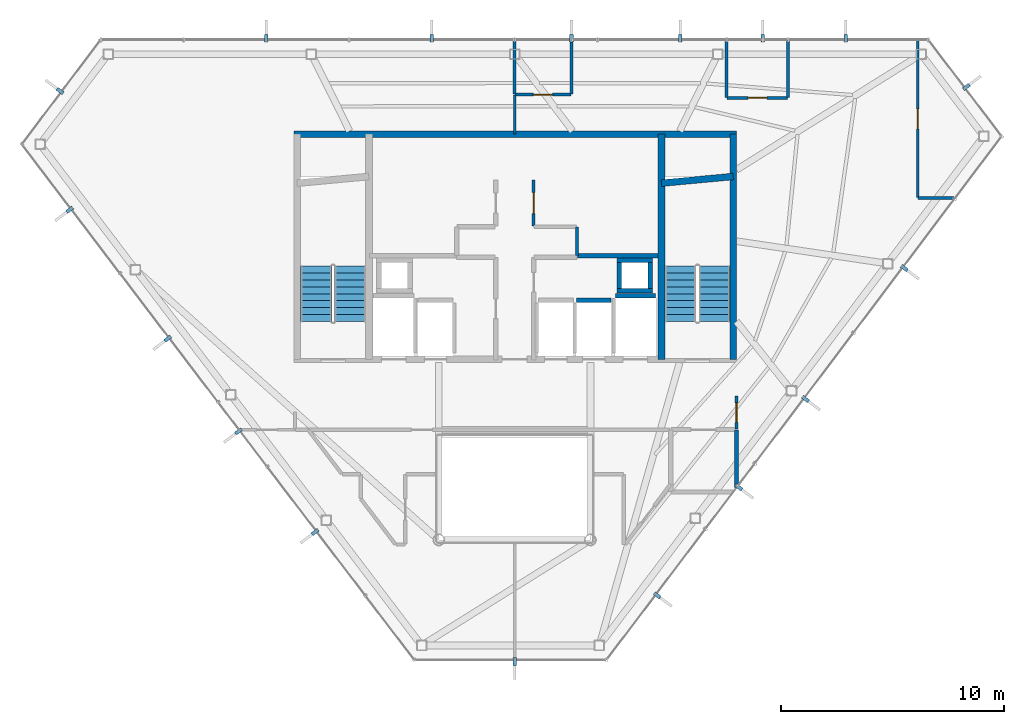
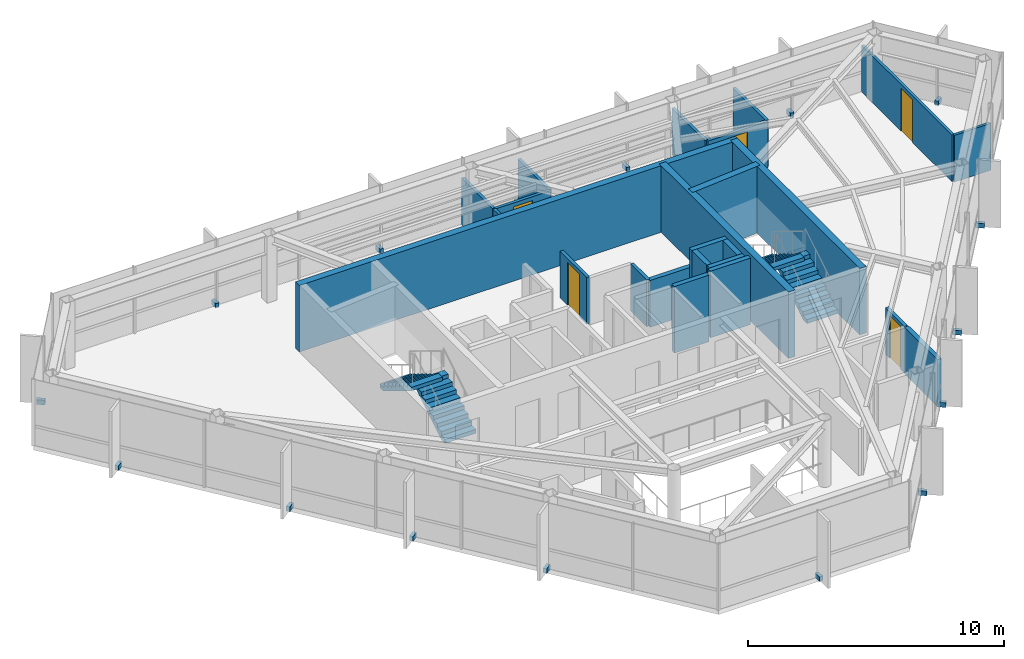
# One storey, part 22 of 23: 24 walls, 17 discrete accessories, 5 doors, 4 stair flights, 5 openings, 2 elements without a shape of their own.
"""IFC4 building model written with IfcOpenShell, lengths in metres."""

from ifc_helpers import new_model, si_unit, direction, frame, frame_2d, origin, origin_2d, place, context, subcontext, project, spatial, polyline, rectangle, outline, extrude, material, layer, layer_set, type_object, element, fill, aggregate, save


model = new_model("IFC4")

# Units and contexts
model_context = context("Model", 3, precision=1e-05, world=origin(), true_north=direction((0.0, 1.0)))
body_context = subcontext(model_context, "Body", "Model", "MODEL_VIEW")
ifc_project = project(units=[si_unit("LENGTHUNIT", "METRE"), si_unit("AREAUNIT", "SQUARE_METRE"), si_unit("VOLUMEUNIT", "CUBIC_METRE"), si_unit("PLANEANGLEUNIT", "RADIAN"), si_unit("MASSUNIT", "GRAM", prefix="KILO")], contexts=[model_context])

# Site, building, storey
site_placement = place(None, origin())
site = spatial("IfcSite", under=ifc_project, at=site_placement, CompositionType="ELEMENT")
building_placement = place(site_placement, origin())
building = spatial("IfcBuilding", under=site, at=building_placement, Name="Zarrinselat Tower", CompositionType="ELEMENT")
storey_placement = place(building_placement, frame((0.0, 0.0, 278.800048828125)))
storey = spatial("IfcBuildingStorey", under=building, at=storey_placement, Name="L71", CompositionType="ELEMENT", Elevation=278.800048828125)

# Wall
ifc_material_1 = material(Name="Concrete C40/50", Category="concrete")
ifc_layer_1 = layer(ifc_material_1, 0.18994140625)
ifc_layer_set_1 = layer_set([ifc_layer_1], Name="Concrete C40/50")
wall_type_1 = type_object("IfcWallType", Name="WAL-PART-EI120", PredefinedType="PARTITIONING", material=ifc_layer_set_1)
wall_1_placement = place(storey_placement, frame((48.35009765625, 27.554443359375, 0.0), z_axis=(0.0, 0.0, 1.0), x_axis=(0.0, 1.0, 0.0)))
element("IfcWall", 1, at=wall_1_placement, inside=storey, type_object=wall_type_1, Name="L71 Partition Wall 20", PredefinedType="PARTITIONING", context=body_context, shape_type="SweptSolid", body=[
    extrude(rectangle(XDim=2.575439453125, YDim=0.18994140625, at=frame_2d((1.28759765625, 0.0))), origin(), (0.0, 0.0, 1.0), 2.23486328125),
])

# Wall, opening, door
ifc_material_2 = material(Name="Fire-Rated Gypsum Board Partition", Category="gypsum")
ifc_layer_2 = layer(ifc_material_2, 0.14990234375)
ifc_layer_set_2 = layer_set([ifc_layer_2], Name="Fire-Rated Gypsum Board Partition")
wall_type_2 = type_object("IfcWallType", Name="WAL-PART-EI60", PredefinedType="PARTITIONING", material=ifc_layer_set_2)
wall_2_placement = place(storey_placement, frame((39.25, 39.27001953125, 0.0), z_axis=(0.0, 0.0, 1.0), x_axis=(0.0, 1.0, 0.0)))
wall_2 = element("IfcWall", 2, at=wall_2_placement, inside=storey, type_object=wall_type_2, Name="L71 Partition Wall 8", PredefinedType="PARTITIONING", context=body_context, shape_type="SweptSolid", body=[
    extrude(rectangle(XDim=2.080078125, YDim=0.14990234375, at=frame_2d((1.0400390625, 0.0))), origin(), (0.0, 0.0, 1.0), 2.23486328125),
])
opening_1_placement = place(wall_2_placement, frame((0.570068359375, 0.0, 0.0)))
opening_1 = element("IfcOpeningElement", 3, at=opening_1_placement, cuts=wall_2, Name="Opening ID-04", PredefinedType="OPENING", context=body_context, shape_type="SweptSolid", body=[
    extrude(rectangle(XDim=0.93994140625, YDim=2.050048828125, at=frame_2d((0.469970703125, 1.02490234375))), frame((0.0, 0.0849609375, 0.0), z_axis=(0.0, -1.0, 0.0), x_axis=(1.0, 0.0, 0.0)), (0.0, 0.0, 1.0), 0.169921875),
])
ifc_material_3 = material(Name="Fire-Rated Gypsum Board Partition")
door_type_1 = type_object("IfcDoorType", Name="DR-INT-FD30-ENT", OperationType="NOTDEFINED", PredefinedType="DOOR", material=ifc_material_3)
door_1_placement = place(opening_1_placement, origin())
door_1 = element("IfcDoor", 4, at=door_1_placement, inside=storey, type_object=door_type_1, Name="L71 Interior Door P8", OperationType="SINGLE_SWING_RIGHT", OverallHeight=2.050048828125, OverallWidth=0.93994140625, PredefinedType="DOOR", context=body_context, shape_type="SweptSolid", body=[
    extrude(rectangle(XDim=0.93994140625, YDim=2.050048828125, at=frame_2d((0.469970703125, 1.02490234375))), frame((0.0, 0.02490234375, 0.0), z_axis=(0.0, -1.0, 0.0), x_axis=(1.0, 0.0, 0.0)), (0.0, 0.0, 1.0), 0.050048828125),
])
fill(opening_1, door_1)

# Wall
wall_3_placement = place(storey_placement, frame((41.199951171875, 37.955078125, 0.0), z_axis=(0.0, 0.0, 1.0), x_axis=(0.0, 1.0, 0.0)))
element("IfcWall", 5, at=wall_3_placement, inside=storey, type_object=wall_type_2, Name="L71 Partition Wall 10", PredefinedType="PARTITIONING", context=body_context, shape_type="SweptSolid", body=[
    extrude(rectangle(XDim=1.27490234375, YDim=0.14990234375, at=frame_2d((0.637451171875, 0.0))), origin(), (0.0, 0.0, 1.0), 2.23486328125),
])

# Wall, opening, door
wall_4_placement = place(storey_placement, frame((48.35009765625, 30.169921875, 0.0), z_axis=(0.0, 0.0, 1.0), x_axis=(0.0, 1.0, 0.0)))
wall_4 = element("IfcWall", 6, at=wall_4_placement, inside=storey, type_object=wall_type_2, Name="L71 Partition Wall 16", PredefinedType="PARTITIONING", context=body_context, shape_type="SweptSolid", body=[
    extrude(rectangle(XDim=1.477783203125, YDim=0.14990234375, at=frame_2d((0.73876953125, 0.0))), origin(), (0.0, 0.0, 1.0), 2.23486328125),
])
opening_2_placement = place(wall_4_placement, frame((0.298828125, 0.0, 0.0)))
opening_2 = element("IfcOpeningElement", 7, at=opening_2_placement, cuts=wall_4, Name="Opening ID-03", PredefinedType="OPENING", context=body_context, shape_type="SweptSolid", body=[
    extrude(rectangle(XDim=0.8798828125, YDim=2.050048828125, at=frame_2d((0.43994140625, 1.02490234375))), frame((0.0, 0.0849609375, 0.0), z_axis=(0.0, -1.0, 0.0), x_axis=(1.0, 0.0, 0.0)), (0.0, 0.0, 1.0), 0.169921875),
])
ifc_material_4 = material(Name="Steel S355J2", Category="steel")
door_type_2 = type_object("IfcDoorType", Name="DR-INT-FD60-S", OperationType="NOTDEFINED", PredefinedType="DOOR", material=ifc_material_4)
door_2_placement = place(opening_2_placement, origin())
door_2 = element("IfcDoor", 8, at=door_2_placement, inside=storey, type_object=door_type_2, Name="L71 Interior Door P16", OperationType="SINGLE_SWING_LEFT", OverallHeight=2.050048828125, OverallWidth=0.8798828125, PredefinedType="DOOR", context=body_context, shape_type="SweptSolid", body=[
    extrude(rectangle(XDim=0.8798828125, YDim=2.050048828125, at=frame_2d((0.43994140625, 1.02490234375))), frame((0.0, 0.02490234375, 0.0), z_axis=(0.0, -1.0, 0.0), x_axis=(1.0, 0.0, 0.0)), (0.0, 0.0, 1.0), 0.050048828125),
])
fill(opening_2, door_2)

# Wall
ifc_material_5 = material(Name="Concrete C40/50", Category="concrete")
ifc_layer_3 = layer(ifc_material_5, 0.199951171875)
ifc_layer_set_3 = layer_set([ifc_layer_3], Name="Concrete C40/50")
wall_type_3 = type_object("IfcWallType", Name="WAL-PART-PLANT", PredefinedType="PARTITIONING", material=ifc_layer_set_3)
wall_5_placement = place(storey_placement, frame((41.219970703125, 37.949951171875, 0.0), z_axis=(0.0, 0.0, 1.0), x_axis=(1.0, 0.0, 0.0)))
element("IfcWall", 9, at=wall_5_placement, inside=storey, type_object=wall_type_3, Name="L71 Partition Wall 12", PredefinedType="PARTITIONING", context=body_context, shape_type="SweptSolid", body=[
    extrude(rectangle(XDim=3.614990234375, YDim=0.199951171875, at=frame_2d((1.8076171875, 0.0))), origin(), (0.0, 0.0, 1.0), 2.23486328125),
])

# Wall, opening, door
ifc_material_6 = material(Name="Fire-Rated Gypsum Board Partition", Category="gypsum")
ifc_layer_4 = layer(ifc_material_6, 0.1201171875)
ifc_layer_set_4 = layer_set([ifc_layer_4], Name="Fire-Rated Gypsum Board Partition")
wall_type_4 = type_object("IfcWallType", Name="WAL-PART-STD", PredefinedType="PARTITIONING", material=ifc_layer_set_4)
wall_6_placement = place(storey_placement, frame((56.473388671875, 40.55517578125, 0.0), z_axis=(0.0, 0.0, 1.0), x_axis=(0.0, 1.0, 0.0)))
wall_6 = element("IfcWall", 10, at=wall_6_placement, inside=storey, type_object=wall_type_4, Name="L71 Partition Wall 38", PredefinedType="PARTITIONING", context=body_context, shape_type="SweptSolid", body=[
    extrude(rectangle(XDim=7.063232421875, YDim=0.1201171875, at=frame_2d((3.53173828125, 0.0))), origin(), (0.0, 0.0, 1.0), 2.23486328125),
])
opening_3_placement = place(wall_6_placement, frame((3.08154296875, 0.0, 0.0)))
opening_3 = element("IfcOpeningElement", 11, at=opening_3_placement, cuts=wall_6, Name="Opening ID-05", PredefinedType="OPENING", context=body_context, shape_type="SweptSolid", body=[
    extrude(rectangle(XDim=0.89990234375, YDim=2.050048828125, at=frame_2d((0.449951171875, 1.02490234375))), frame((0.0, 0.070068359375, 0.0), z_axis=(0.0, -1.0, 0.0), x_axis=(1.0, 0.0, 0.0)), (0.0, 0.0, 1.0), 0.14013671875),
])
ifc_material_7 = material(Name="Extruded Aluminium Alloy EN AW-6063 T6", Category="aluminium")
door_type_3 = type_object("IfcDoorType", Name="DR-INT-STD-920", OperationType="NOTDEFINED", PredefinedType="DOOR", material=ifc_material_7)
door_3_placement = place(opening_3_placement, origin())
door_3 = element("IfcDoor", 12, at=door_3_placement, inside=storey, type_object=door_type_3, Name="L71 Interior Door P38", OperationType="SINGLE_SWING_LEFT", OverallHeight=2.050048828125, OverallWidth=0.89990234375, PredefinedType="DOOR", context=body_context, shape_type="SweptSolid", body=[
    extrude(rectangle(XDim=0.89990234375, YDim=2.050048828125, at=frame_2d((0.449951171875, 1.02490234375))), frame((0.0, 0.02490234375, 0.0), z_axis=(0.0, -1.0, 0.0), x_axis=(1.0, 0.0, 0.0)), (0.0, 0.0, 1.0), 0.050048828125),
])
fill(opening_3, door_3)

# Walls
wall_7_placement = place(storey_placement, frame((56.493408203125, 40.53515625, 0.0), z_axis=(0.0, 0.0, 1.0), x_axis=(1.0, 0.0, 0.0)))
element("IfcWall", 13, at=wall_7_placement, inside=storey, type_object=wall_type_4, Name="L71 Partition Wall 39", PredefinedType="PARTITIONING", context=body_context, shape_type="SweptSolid", body=[
    extrude(rectangle(XDim=1.650634765625, YDim=0.1201171875, at=frame_2d((0.8251953125, 0.0))), origin(), (0.0, 0.0, 1.0), 2.23486328125),
])
wall_8_placement = place(storey_placement, frame((38.39990234375, 43.4150390625, 0.0), z_axis=(0.0, 0.0, 1.0), x_axis=(0.0, 1.0, 0.0)))
element("IfcWall", 14, at=wall_8_placement, inside=storey, type_object=wall_type_4, Name="L71 Partition Wall 40", PredefinedType="PARTITIONING", context=body_context, shape_type="SweptSolid", body=[
    extrude(rectangle(XDim=1.73828125, YDim=0.1201171875, at=frame_2d((0.869140625, 0.0))), origin(), (0.0, 0.0, 1.0), 2.23486328125),
])
ifc_material_8 = material(Name="Fire-Rated Gypsum Board Partition", Category="gypsum")
ifc_layer_5 = layer(ifc_material_8, 0.135009765625)
ifc_layer_set_5 = layer_set([ifc_layer_5], Name="Fire-Rated Gypsum Board Partition")
wall_type_5 = type_object("IfcWallType", Name="WAL-PART-WET", PredefinedType="PARTITIONING", material=ifc_layer_set_5)
wall_9_placement = place(storey_placement, frame((47.91259765625, 45.043212890625, 0.0), z_axis=(0.0, 0.0, 1.0), x_axis=(0.0, 1.0, 0.0)))
element("IfcWall", 15, at=wall_9_placement, inside=storey, type_object=wall_type_5, Name="L71 Partition Wall 33", PredefinedType="PARTITIONING", context=body_context, shape_type="SweptSolid", body=[
    extrude(rectangle(XDim=2.5751953125, YDim=0.135009765625, at=frame_2d((1.28759765625, 0.0))), origin(), (0.0, 0.0, 1.0), 2.23486328125),
])

# Wall, opening, door
wall_10_placement = place(storey_placement, frame((47.9326171875, 45.023193359375, 0.0), z_axis=(0.0, 0.0, 1.0), x_axis=(1.0, 0.0, 0.0)))
wall_10 = element("IfcWall", 16, at=wall_10_placement, inside=storey, type_object=wall_type_5, Name="L71 Partition Wall 34", PredefinedType="PARTITIONING", context=body_context, shape_type="SweptSolid", body=[
    extrude(rectangle(XDim=2.7099609375, YDim=0.135009765625, at=frame_2d((1.35498046875, 0.0))), origin(), (0.0, 0.0, 1.0), 2.23486328125),
])
opening_4_placement = place(wall_10_placement, frame((0.925048828125, 0.0, 0.0)))
opening_4 = element("IfcOpeningElement", 17, at=opening_4_placement, cuts=wall_10, Name="Opening ID-06", PredefinedType="OPENING", context=body_context, shape_type="SweptSolid", body=[
    extrude(rectangle(XDim=0.860107421875, YDim=2.050048828125, at=frame_2d((0.43017578125, 1.02490234375))), frame((0.0, 0.077392578125, 0.0), z_axis=(0.0, -1.0, 0.0), x_axis=(1.0, 0.0, 0.0)), (0.0, 0.0, 1.0), 0.155029296875),
])
ifc_material_9 = material(Name="Extruded Aluminium Alloy EN AW-6063 T6", Category="aluminium")
door_type_4 = type_object("IfcDoorType", Name="DR-INT-WET-900", OperationType="NOTDEFINED", PredefinedType="DOOR", material=ifc_material_9)
door_4_placement = place(opening_4_placement, origin())
door_4 = element("IfcDoor", 18, at=door_4_placement, inside=storey, type_object=door_type_4, Name="L71 Interior Door P34", OperationType="SINGLE_SWING_LEFT", OverallHeight=2.050048828125, OverallWidth=0.860107421875, PredefinedType="DOOR", context=body_context, shape_type="SweptSolid", body=[
    extrude(rectangle(XDim=0.860107421875, YDim=2.050048828125, at=frame_2d((0.43017578125, 1.02490234375))), frame((0.0, 0.02490234375, 0.0), z_axis=(0.0, -1.0, 0.0), x_axis=(1.0, 0.0, 0.0)), (0.0, 0.0, 1.0), 0.050048828125),
])
fill(opening_4, door_4)

# Wall
wall_11_placement = place(storey_placement, frame((50.66259765625, 45.043212890625, 0.0), z_axis=(0.0, 0.0, 1.0), x_axis=(0.0, 1.0, 0.0)))
element("IfcWall", 19, at=wall_11_placement, inside=storey, type_object=wall_type_5, Name="L71 Partition Wall 35", PredefinedType="PARTITIONING", context=body_context, shape_type="SweptSolid", body=[
    extrude(rectangle(XDim=2.5751953125, YDim=0.135009765625, at=frame_2d((1.28759765625, 0.0))), origin(), (0.0, 0.0, 1.0), 2.23486328125),
])

# Wall, opening, door
wall_12_placement = place(storey_placement, frame((38.419921875, 45.17333984375, 0.0), z_axis=(0.0, 0.0, 1.0), x_axis=(1.0, 0.0, 0.0)))
wall_12 = element("IfcWall", 20, at=wall_12_placement, inside=storey, type_object=wall_type_5, Name="L71 Partition Wall 36", PredefinedType="PARTITIONING", context=body_context, shape_type="SweptSolid", body=[
    extrude(rectangle(XDim=2.510009765625, YDim=0.135009765625, at=frame_2d((1.2548828125, 0.0))), origin(), (0.0, 0.0, 1.0), 2.23486328125),
])
opening_5_placement = place(wall_12_placement, frame((0.824951171875, 0.0, 0.0)))
opening_5 = element("IfcOpeningElement", 21, at=opening_5_placement, cuts=wall_12, Name="Opening ID-06", PredefinedType="OPENING", context=body_context, shape_type="SweptSolid", body=[
    extrude(rectangle(XDim=0.860107421875, YDim=2.050048828125, at=frame_2d((0.43017578125, 1.02490234375))), frame((0.0, 0.077392578125, 0.0), z_axis=(0.0, -1.0, 0.0), x_axis=(1.0, 0.0, 0.0)), (0.0, 0.0, 1.0), 0.155029296875),
])
door_5_placement = place(opening_5_placement, origin())
door_5 = element("IfcDoor", 22, at=door_5_placement, inside=storey, type_object=door_type_4, Name="L71 Interior Door P36", OperationType="SINGLE_SWING_RIGHT", OverallHeight=2.050048828125, OverallWidth=0.860107421875, PredefinedType="DOOR", context=body_context, shape_type="SweptSolid", body=[
    extrude(rectangle(XDim=0.860107421875, YDim=2.050048828125, at=frame_2d((0.43017578125, 1.02490234375))), frame((0.0, 0.02490234375, 0.0), z_axis=(0.0, -1.0, 0.0), x_axis=(1.0, 0.0, 0.0)), (0.0, 0.0, 1.0), 0.050048828125),
])
fill(opening_5, door_5)

# Walls
for number, where, z_axis, x_axis, name in (
    (23, (40.949951171875, 45.193359375, 0.0), (0.0, 0.0, 1.0), (0.0, 1.0, 0.0), "L71 Partition Wall 37"),
    (24, (38.39990234375, 45.193359375, 0.0), (0.0, 0.0, 1.0), (0.0, 1.0, 0.0), "L71 Partition Wall 41"),
):
    element("IfcWall", number, at=place(storey_placement, frame(where, z_axis=z_axis, x_axis=x_axis)), inside=storey, type_object=wall_type_5, Name=name, PredefinedType="PARTITIONING", context=body_context, shape_type="SweptSolid", body=[
        extrude(rectangle(XDim=2.425048828125, YDim=0.135009765625, at=frame_2d((1.21240234375, 0.0))), origin(), (0.0, 0.0, 1.0), 2.23486328125),
    ])
ifc_material_10 = material(Name="Concrete C40/50", Category="concrete")
ifc_layer_6 = layer(ifc_material_10, 0.2099609375)
ifc_layer_set_6 = layer_set([ifc_layer_6], Name="Concrete C40/50")
wall_type_6 = type_object("IfcWallType", Name="WAL-SHAFT-210", PredefinedType="SOLIDWALL", material=ifc_layer_set_6)
wall_13_placement = place(storey_placement, frame((42.919921875, 36.155029296875, 0.0), z_axis=(0.0, 0.0, 1.0), x_axis=(1.0, 0.0, 0.0)))
element("IfcWall", 25, at=wall_13_placement, inside=storey, type_object=wall_type_6, Name="L71 Lift FFL2 North Shaft Wall", PredefinedType="SOLIDWALL", context=body_context, shape_type="SweptSolid", body=[
    extrude(rectangle(XDim=1.800048828125, YDim=0.2099609375, at=frame_2d((0.89990234375, 0.0))), origin(), (0.0, 0.0, 1.0), 3.179931640625),
])
wall_14_placement = place(storey_placement, frame((41.169921875, 35.955078125, 0.0), z_axis=(0.0, 0.0, 1.0), x_axis=(1.0, 0.0, 0.0)))
element("IfcWall", 26, at=wall_14_placement, inside=storey, type_object=wall_type_6, Name="L71 Lift PL9 North Shaft Wall", PredefinedType="SOLIDWALL", context=body_context, shape_type="SweptSolid", body=[
    extrude(rectangle(XDim=1.56005859375, YDim=0.2099609375, at=frame_2d((0.780029296875, 0.0))), origin(), (0.0, 0.0, 1.0), 3.179931640625),
])
for number, where, z_axis, x_axis, name in (
    (27, (42.989990234375, 36.375, 0.0), (0.0, 0.0, 1.0), (1.0, 0.0, 0.0), "L71 Core Riser RSR-E S Shaft Wall"),
    (28, (42.989990234375, 37.7451171875, 0.0), (0.0, 0.0, 1.0), (1.0, 0.0, 0.0), "L71 Core Riser RSR-E N Shaft Wall"),
):
    element("IfcWall", number, at=place(storey_placement, frame(where, z_axis=z_axis, x_axis=x_axis)), inside=storey, type_object=wall_type_6, Name=name, PredefinedType="SOLIDWALL", context=body_context, shape_type="SweptSolid", body=[
        extrude(rectangle(XDim=1.60009765625, YDim=0.2099609375, at=frame_2d((0.800048828125, 0.0))), origin(), (0.0, 0.0, 1.0), 3.179931640625),
    ])
for number, where, z_axis, x_axis, name in (
    (29, (43.094970703125, 36.485107421875, 0.0), (0.0, 0.0, 1.0), (0.0, 1.0, 0.0), "L71 Core Riser RSR-E W Shaft Wall"),
    (30, (44.485107421875, 36.485107421875, 0.0), (0.0, 0.0, 1.0), (0.0, 1.0, 0.0), "L71 Core Riser RSR-E E Shaft Wall"),
):
    element("IfcWall", number, at=place(storey_placement, frame(where, z_axis=z_axis, x_axis=x_axis)), inside=storey, type_object=wall_type_6, Name=name, PredefinedType="SOLIDWALL", context=body_context, shape_type="SweptSolid", body=[
        extrude(rectangle(XDim=1.14990234375, YDim=0.2099609375, at=frame_2d((0.574951171875, 0.0))), origin(), (0.0, 0.0, 1.0), 3.179931640625),
    ])
ifc_material_11 = material(Name="Concrete C40/50", Category="concrete")
ifc_layer_7 = layer(ifc_material_11, 0.300048828125)
ifc_layer_set_7 = layer_set([ifc_layer_7], Name="Concrete C40/50")
wall_type_7 = type_object("IfcWallType", Name="WAL-SHEAR-300", PredefinedType="SHEAR", material=ifc_layer_set_7)
wall_15_placement = place(storey_placement, frame((28.5, 43.39990234375, 0.0), z_axis=(0.0, 0.0, 1.0), x_axis=(1.0, 0.0, 0.0)))
element("IfcWall", 31, at=wall_15_placement, inside=storey, type_object=wall_type_7, Name="L71 North Core Shear Wall", PredefinedType="SHEAR", context=body_context, shape_type="SweptSolid", body=[
    extrude(rectangle(XDim=19.860107421875, YDim=0.300048828125, at=frame_2d((9.93017578125, 0.0))), origin(), (0.0, 0.0, 1.0), 3.179931640625),
])
for number, where, z_axis, x_axis, name in (
    (32, (44.989990234375, 33.300048828125, 0.0), (0.0, 0.0, 1.0), (0.0, 1.0, 0.0), "L71 Core Shear Wall ST2W"),
    (33, (48.2099609375, 33.300048828125, 0.0), (0.0, 0.0, 1.0), (0.0, 1.0, 0.0), "L71 Core Shear Wall E"),
):
    element("IfcWall", number, at=place(storey_placement, frame(where, z_axis=z_axis, x_axis=x_axis)), inside=storey, type_object=wall_type_7, Name=name, PredefinedType="SHEAR", context=body_context, shape_type="SweptSolid", body=[
        extrude(rectangle(XDim=10.099853515625, YDim=0.300048828125, at=frame_2d((5.0498046875, 0.0))), origin(), (0.0, 0.0, 1.0), 3.179931640625),
    ])
wall_16_placement = place(storey_placement, frame((44.97998046875, 41.199951171875, 0.0), z_axis=(0.0, 0.0, 1.0), x_axis=(0.995686468965, 0.09278176286, 0.0)))
element("IfcWall", 34, at=wall_16_placement, inside=storey, type_object=wall_type_7, Name="L71 Stair 2 North Shaft Wall", PredefinedType="SHEAR", context=body_context, shape_type="SweptSolid", body=[
    extrude(rectangle(XDim=3.23388671875, YDim=0.300048828125, at=frame_2d((1.616943359375, 0.0))), origin(), (0.0, 0.0, 1.0), 3.179931640625),
])

# Stair, stair flights
ifc_material_12 = material(Name="Concrete C40/50", Category="concrete")
stair_type = type_object("IfcStairType", Name="STR-CORE-155", PredefinedType="HALF_TURN_STAIR", material=ifc_material_12)
stair_1_placement = place(storey_placement, origin())
stair_1 = element("IfcStair", 35, at=stair_1_placement, inside=storey, type_object=stair_type, Name="L71 Core Exit Stair 1", PredefinedType="HALF_TURN_STAIR")
ifc_material_13 = material(Name="Concrete C40/50", Category="concrete")
stair_flight_type = type_object("IfcStairFlightType", Name="STR-FLT-155", PredefinedType="STRAIGHT", material=ifc_material_13)
stair_flight_1_placement = place(storey_placement, frame((31.02001953125, 35.0, 0.0), z_axis=(0.0, 0.0, 1.0), x_axis=(0.0, 1.0, 0.0)))
stair_flight_1 = element("IfcStairFlight", 36, at=stair_flight_1_placement, type_object=stair_flight_type, Name="ST-1 flight 1", NumberOfRisers=9, NumberOfTreads=8, PredefinedType="STRAIGHT", RiserHeight=0.188888889, TreadLength=0.31, context=body_context, shape_type="SweptSolid", body=[
    extrude(outline(polyline([(0.0, 0.0), (0.0, 0.18896484375), (0.31005859375, 0.18896484375), (0.31005859375, 0.377685546875), (0.6201171875, 0.377685546875), (0.6201171875, 0.566650390625), (0.929931640625, 0.566650390625), (0.929931640625, 0.755615234375), (1.239990234375, 0.755615234375), (1.239990234375, 0.9443359375), (1.550048828125, 0.9443359375), (1.550048828125, 1.13330078125), (1.860107421875, 1.13330078125), (1.860107421875, 1.322265625), (2.169921875, 1.322265625), (2.169921875, 1.51123046875), (2.47998046875, 1.51123046875), (2.47998046875, 1.699951171875), (2.47998046875, 1.335693359375), (0.2880859375, 0.0), (0.0, 0.0)])), frame((0.0, 0.699951171875, 0.0), z_axis=(0.0, -1.0, 0.0), x_axis=(1.0, 0.0, 0.0)), (0.0, 0.0, 1.0), 1.39990234375),
])
stair_flight_2_placement = place(storey_placement, frame((29.5, 37.47998046875, 1.699951171875), z_axis=(0.0, 0.0, 1.0), x_axis=(0.0, -1.0, 0.0)))
stair_flight_2 = element("IfcStairFlight", 37, at=stair_flight_2_placement, type_object=stair_flight_type, Name="ST-1 flight 2", NumberOfRisers=9, NumberOfTreads=8, PredefinedType="STRAIGHT", RiserHeight=0.188888889, TreadLength=0.31, context=body_context, shape_type="SweptSolid", body=[
    extrude(outline(polyline([(0.0, 0.0), (0.0, 0.18896484375), (0.31005859375, 0.18896484375), (0.31005859375, 0.377685546875), (0.6201171875, 0.377685546875), (0.6201171875, 0.566650390625), (0.929931640625, 0.566650390625), (0.929931640625, 0.755615234375), (1.239990234375, 0.755615234375), (1.239990234375, 0.9443359375), (1.550048828125, 0.9443359375), (1.550048828125, 1.13330078125), (1.860107421875, 1.13330078125), (1.860107421875, 1.322265625), (2.169921875, 1.322265625), (2.169921875, 1.51123046875), (2.47998046875, 1.51123046875), (2.47998046875, 1.699951171875), (2.47998046875, 1.335693359375), (0.2880859375, 0.0), (0.0, 0.0)])), frame((0.0, 0.699951171875, 0.0), z_axis=(0.0, -1.0, 0.0), x_axis=(1.0, 0.0, 0.0)), (0.0, 0.0, 1.0), 1.39990234375),
])
aggregate(stair_1, [stair_flight_1, stair_flight_2])

stair_2_placement = place(storey_placement, origin())
stair_2 = element("IfcStair", 38, at=stair_2_placement, inside=storey, type_object=stair_type, Name="L71 Core Exit Stair 2", PredefinedType="HALF_TURN_STAIR")
stair_flight_3_placement = place(storey_placement, frame((47.360107421875, 35.0, 0.0), z_axis=(0.0, 0.0, 1.0), x_axis=(0.0, 1.0, 0.0)))
stair_flight_3 = element("IfcStairFlight", 39, at=stair_flight_3_placement, type_object=stair_flight_type, Name="ST-2 flight 1", NumberOfRisers=9, NumberOfTreads=8, PredefinedType="STRAIGHT", RiserHeight=0.188888889, TreadLength=0.31, context=body_context, shape_type="SweptSolid", body=[
    extrude(outline(polyline([(0.0, 0.0), (0.0, 0.18896484375), (0.31005859375, 0.18896484375), (0.31005859375, 0.377685546875), (0.6201171875, 0.377685546875), (0.6201171875, 0.566650390625), (0.929931640625, 0.566650390625), (0.929931640625, 0.755615234375), (1.239990234375, 0.755615234375), (1.239990234375, 0.9443359375), (1.550048828125, 0.9443359375), (1.550048828125, 1.13330078125), (1.860107421875, 1.13330078125), (1.860107421875, 1.322265625), (2.169921875, 1.322265625), (2.169921875, 1.51123046875), (2.47998046875, 1.51123046875), (2.47998046875, 1.699951171875), (2.47998046875, 1.335693359375), (0.2880859375, 0.0), (0.0, 0.0)])), frame((0.0, 0.699951171875, 0.0), z_axis=(0.0, -1.0, 0.0), x_axis=(1.0, 0.0, 0.0)), (0.0, 0.0, 1.0), 1.39990234375),
])
stair_flight_4_placement = place(storey_placement, frame((45.840087890625, 37.47998046875, 1.699951171875), z_axis=(0.0, 0.0, 1.0), x_axis=(0.0, -1.0, 0.0)))
stair_flight_4 = element("IfcStairFlight", 40, at=stair_flight_4_placement, type_object=stair_flight_type, Name="ST-2 flight 2", NumberOfRisers=9, NumberOfTreads=8, PredefinedType="STRAIGHT", RiserHeight=0.188888889, TreadLength=0.31, context=body_context, shape_type="SweptSolid", body=[
    extrude(outline(polyline([(0.0, 0.0), (0.0, 0.18896484375), (0.31005859375, 0.18896484375), (0.31005859375, 0.377685546875), (0.6201171875, 0.377685546875), (0.6201171875, 0.566650390625), (0.929931640625, 0.566650390625), (0.929931640625, 0.755615234375), (1.239990234375, 0.755615234375), (1.239990234375, 0.9443359375), (1.550048828125, 0.9443359375), (1.550048828125, 1.13330078125), (1.860107421875, 1.13330078125), (1.860107421875, 1.322265625), (2.169921875, 1.322265625), (2.169921875, 1.51123046875), (2.47998046875, 1.51123046875), (2.47998046875, 1.699951171875), (2.47998046875, 1.335693359375), (0.2880859375, 0.0), (0.0, 0.0)])), frame((0.0, 0.699951171875, 0.0), z_axis=(0.0, -1.0, 0.0), x_axis=(1.0, 0.0, 0.0)), (0.0, 0.0, 1.0), 1.39990234375),
])
aggregate(stair_2, [stair_flight_3, stair_flight_4])

# Discrete accessories
ifc_material_14 = material(Name="Steel S355J2", Category="steel")
discrete_accessory_type = type_object("IfcDiscreteAccessoryType", Name="ACC-FIN-BRACKET", PredefinedType="BRACKET", material=ifc_material_14)
for number, where, z_axis, x_axis, name in (
    (41, (53.244140625, 47.703369140625, -0.0498046875), (0.0, 0.0, 1.0), (0.0, 1.0, 0.0), "L71 Fin Fixing Bracket CW-L71-E01-01"),
    (42, (49.532958984375, 47.703369140625, -0.0498046875), (0.0, 0.0, 1.0), (0.0, 1.0, 0.0), "L71 Fin Fixing Bracket CW-L71-E01-03"),
    (43, (45.82177734375, 47.703369140625, -0.0498046875), (0.0, 0.0, 1.0), (0.0, 1.0, 0.0), "L71 Fin Fixing Bracket CW-L71-E01-05"),
    (44, (40.949951171875, 47.703369140625, -0.0498046875), (0.0, 0.0, 1.0), (0.0, 1.0, 0.0), "L71 Fin Fixing Bracket CW-L71-E01-07"),
    (45, (34.68798828125, 47.703369140625, -0.0498046875), (0.0, 0.0, 1.0), (0.0, 1.0, 0.0), "L71 Fin Fixing Bracket CW-L71-E01-09"),
    (46, (27.265380859375, 47.703369140625, -0.0498046875), (0.0, 0.0, 1.0), (0.0, 1.0, 0.0), "L71 Fin Fixing Bracket CW-L71-E01-11"),
    (47, (18.017333984375, 45.330810546875, -0.0498046875), (0.0, 0.0, 1.0), (-0.798164133577, 0.602440051683, 0.0), "L71 Fin Fixing Bracket CW-L71-E02-01"),
    (48, (18.44873046875, 40.010986328125, -0.0498046875), (0.0, 0.0, 1.0), (-0.795641841772, -0.60576733126, 0.0), "L71 Fin Fixing Bracket CW-L71-E03-01"),
    (49, (22.850341796875, 34.229736328125, -0.0498046875), (0.0, 0.0, 1.0), (-0.795641841772, -0.60576733126, 0.0), "L71 Fin Fixing Bracket CW-L71-E03-03"),
    (50, (26.016357421875, 30.0712890625, -0.0498046875), (0.0, 0.0, 1.0), (-0.795641841772, -0.60576733126, 0.0), "L71 Fin Fixing Bracket CW-L71-E03-05"),
    (51, (29.45263671875, 25.557861328125, -0.0498046875), (0.0, 0.0, 1.0), (-0.795641841772, -0.60576733126, 0.0), "L71 Fin Fixing Bracket CW-L71-E03-07"),
    (52, (38.39990234375, 19.7490234375, -0.0498046875), (0.0, 0.0, 1.0), (0.0, -1.0, 0.0), "L71 Fin Fixing Bracket CW-L71-E04-01"),
    (53, (44.794677734375, 22.712646484375, -0.0498046875), (0.0, 0.0, 1.0), (0.798160322284, -0.602445101176, 0.0), "L71 Fin Fixing Bracket CW-L71-E05-01"),
    (54, (48.453857421875, 27.560546875, -0.0498046875), (0.0, 0.0, 1.0), (0.798160322284, -0.602445101176, 0.0), "L71 Fin Fixing Bracket CW-L71-E05-03"),
    (55, (51.4423828125, 31.520263671875, -0.0498046875), (0.0, 0.0, 1.0), (0.798160322284, -0.602445101176, 0.0), "L71 Fin Fixing Bracket CW-L71-E05-05"),
    (56, (55.874267578125, 37.391845703125, -0.0498046875), (0.0, 0.0, 1.0), (0.798160322284, -0.602445101176, 0.0), "L71 Fin Fixing Bracket CW-L71-E05-07"),
    (57, (58.65869140625, 45.511962890625, -0.0498046875), (0.0, 0.0, 1.0), (0.795637208503, 0.605773416753, 0.0), "L71 Fin Fixing Bracket CW-L71-E06-01"),
):
    element("IfcDiscreteAccessory", number, at=place(storey_placement, frame(where, z_axis=z_axis, x_axis=x_axis)), inside=storey, type_object=discrete_accessory_type, Name=name, PredefinedType="BRACKET", context=body_context, shape_type="SweptSolid", body=[
        extrude(rectangle(XDim=0.340087890625, YDim=0.159912109375, at=origin_2d()), origin(), (0.0, 0.0, 1.0), 0.219970703125),
    ])

save(model, "model.ifc")
